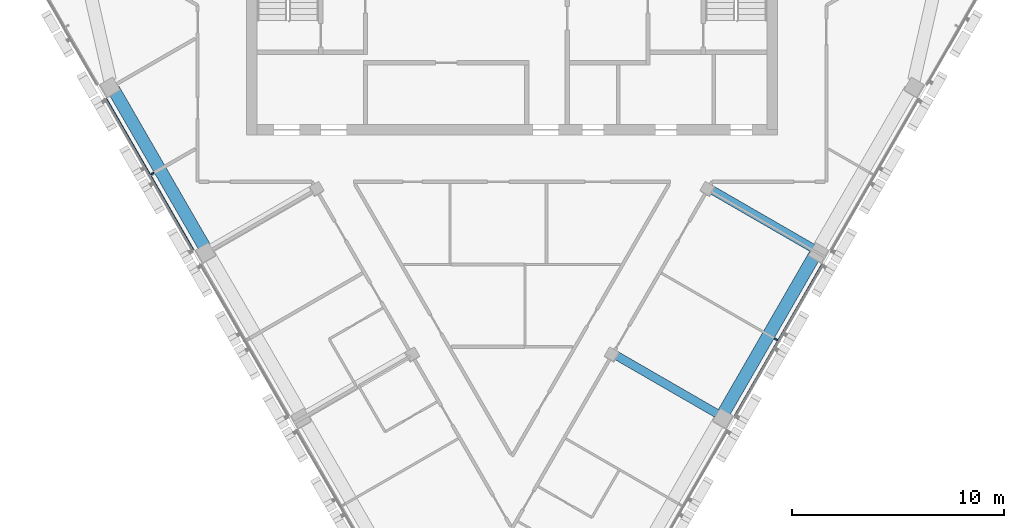
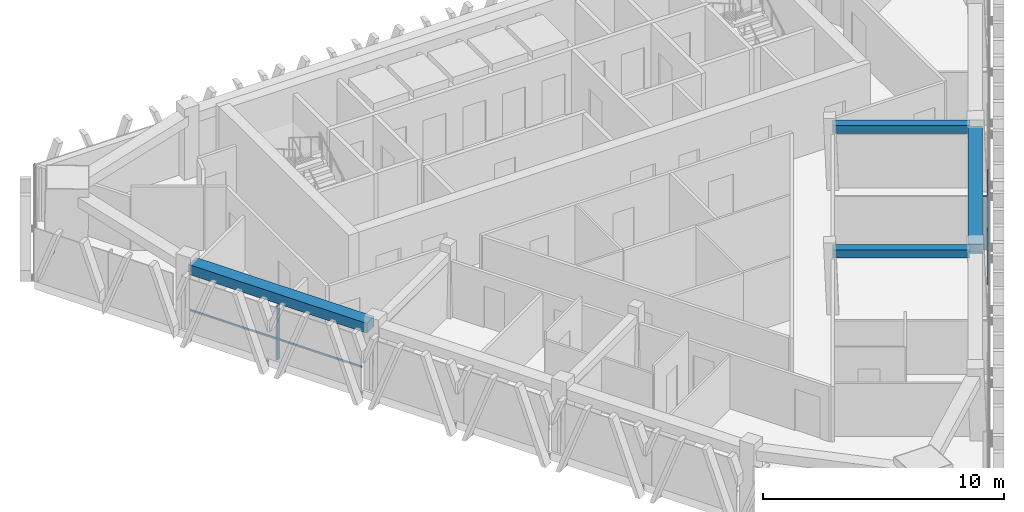
# One storey, part 3 of 12: 4 beams, 4 members, 2 elements without a shape of their own.
"""IFC4 building model written with IfcOpenShell, lengths in metres."""

from ifc_helpers import new_model, si_unit, direction, frame, origin, origin_2d, place, context, subcontext, project, spatial, rectangle, extrude, material, layer, layer_set, material_profile, profile_set, type_object, element, aggregate, save


model = new_model("IFC4")

# Units and contexts
model_context = context("Model", 3, precision=1e-05, world=origin(), true_north=direction((0.0, 1.0)))
body_context = subcontext(model_context, "Body", "Model", "MODEL_VIEW")
ifc_project = project(units=[si_unit("LENGTHUNIT", "METRE"), si_unit("AREAUNIT", "SQUARE_METRE"), si_unit("VOLUMEUNIT", "CUBIC_METRE"), si_unit("PLANEANGLEUNIT", "RADIAN"), si_unit("MASSUNIT", "GRAM", prefix="KILO")], contexts=[model_context])

# Site, building, storey
site_placement = place(None, origin())
site = spatial("IfcSite", under=ifc_project, at=site_placement, CompositionType="ELEMENT")
building_placement = place(site_placement, origin())
building = spatial("IfcBuilding", under=site, at=building_placement, Name="Altiplano Prism Tower", CompositionType="ELEMENT")
storey_placement = place(building_placement, frame((0.0, 0.0, 278.800048828125)))
storey = spatial("IfcBuildingStorey", under=building, at=storey_placement, Name="L72", CompositionType="ELEMENT", Elevation=278.800048828125)

# Curtain wall, member
ifc_material_1 = material(Name="Aluminium and glass", Category="aluminium")
ifc_layer = layer(ifc_material_1, 0.280029296875)
ifc_layer_set = layer_set([ifc_layer], Name="Aluminium and glass")
curtain_wall_type = type_object("IfcCurtainWallType", Name="CW1 typical co-living unitised curtain wall", PredefinedType="NOTDEFINED", material=ifc_layer_set)
curtain_wall_1_placement = place(storey_placement, origin())
curtain_wall_1 = element("IfcCurtainWall", 1, at=curtain_wall_1_placement, inside=storey, type_object=curtain_wall_type, Name="CW1 curtain wall south-west face L72", PredefinedType="NOTDEFINED")
ifc_material_2 = material(Name="Aluminium", Category="aluminium")
ifc_material_profile_1 = material_profile(ifc_material_2, rectangle(XDim=0.179931640625, YDim=0.06494140625, at=origin_2d()), Name="CW1 mullion 65 x 180")
ifc_profile_set_1 = profile_set([ifc_material_profile_1], Name="Aluminium")
member_type_1 = type_object("IfcMemberType", Name="CW1 mullion 65 x 180", PredefinedType="MULLION", material=ifc_profile_set_1)
member_1_placement = place(storey_placement, frame((68.07275390625, 91.079833984375, 0.0), z_axis=(0.0, 0.0, 1.0), x_axis=(0.866025409151, 0.499999990704, 0.0)))
member_1 = element("IfcMember", 2, at=member_1_placement, type_object=member_type_1, Name="CW1 mullion", PredefinedType="MULLION", context=body_context, shape_type="SweptSolid", body=[
    extrude(rectangle(XDim=0.179931640625, YDim=0.06494140625, at=origin_2d()), origin(), (0.0, 0.0, 1.0), 2.699951171875),
])

curtain_wall_2_placement = place(storey_placement, origin())
curtain_wall_2 = element("IfcCurtainWall", 3, at=curtain_wall_2_placement, inside=storey, type_object=curtain_wall_type, Name="CW1 curtain wall south-east face L72", PredefinedType="NOTDEFINED")
member_2_placement = place(storey_placement, frame((97.42724609375, 83.28564453125, 0.0), z_axis=(0.0, 0.0, 1.0), x_axis=(-0.866025409151, 0.499999990704, 0.0)))
member_2 = element("IfcMember", 4, at=member_2_placement, type_object=member_type_1, Name="CW1 mullion", PredefinedType="MULLION", context=body_context, shape_type="SweptSolid", body=[
    extrude(rectangle(XDim=0.179931640625, YDim=0.06494140625, at=origin_2d()), origin(), (0.0, 0.0, 1.0), 2.699951171875),
])

# Member
ifc_material_profile_2 = material_profile(ifc_material_2, rectangle(XDim=0.06005859375, YDim=0.080078125, at=origin_2d()), Name="CW1 transom 80 x 60")
ifc_profile_set_2 = profile_set([ifc_material_profile_2], Name="Aluminium")
member_type_2 = type_object("IfcMemberType", Name="CW1 transom 80 x 60", PredefinedType="USERDEFINED", material=ifc_profile_set_2)
member_3_placement = place(storey_placement, frame((65.894287109375, 94.61328125, 1.099853515625), z_axis=(0.499991554064, -0.866030279993, 0.0), x_axis=(0.866030279993, 0.499991554064, 0.0)))
member_3 = element("IfcMember", 5, at=member_3_placement, type_object=member_type_2, Name="CW1 transom", ObjectType="TRANSOM", PredefinedType="USERDEFINED", context=body_context, shape_type="SweptSolid", body=[
    extrude(rectangle(XDim=0.06005859375, YDim=0.080078125, at=origin_2d()), origin(), (0.0, 0.0, 1.0), 8.219970703125),
])

aggregate(curtain_wall_1, [member_1, member_3])

member_4_placement = place(storey_placement, frame((95.495849609375, 79.700439453125, 1.099853515625), z_axis=(0.499991554064, 0.866030279993, 0.0), x_axis=(-0.866030279993, 0.499991554064, 0.0)))
member_4 = element("IfcMember", 6, at=member_4_placement, type_object=member_type_2, Name="CW1 transom", ObjectType="TRANSOM", PredefinedType="USERDEFINED", context=body_context, shape_type="SweptSolid", body=[
    extrude(rectangle(XDim=0.06005859375, YDim=0.080078125, at=origin_2d()), origin(), (0.0, 0.0, 1.0), 8.219970703125),
])

aggregate(curtain_wall_2, [member_2, member_4])

# Beams
ifc_material_3 = material(Name="Concrete C60/75", Category="concrete")
ifc_material_profile_3 = material_profile(ifc_material_3, rectangle(XDim=0.60009765625, YDim=0.5, at=origin_2d()), Name="Edge beam 600x500")
ifc_profile_set_3 = profile_set([ifc_material_profile_3], Name="Concrete C60/75")
beam_type_1 = type_object("IfcBeamType", Name="Edge beam 600x500", PredefinedType="SPANDREL", material=ifc_profile_set_3)
for number, where, z_axis, x_axis, name in (
    (7, (66.242919921875, 95.046142578125, 2.949951171875), (0.500007039007, -0.866021339774, 0.0), (0.866021339774, 0.500007039007, 0.0), "Edge beam P11-P12 L73"),
    (8, (94.987060546875, 79.856201171875, 2.949951171875), (0.500007039007, 0.866021339774, 0.0), (-0.866021339774, 0.500007039007, 0.0), "Edge beam P22-P23 L73"),
):
    element("IfcBeam", number, at=place(storey_placement, frame(where, z_axis=z_axis, x_axis=x_axis)), inside=storey, type_object=beam_type_1, Name=name, PredefinedType="SPANDREL", context=body_context, shape_type="SweptSolid", body=[
        extrude(rectangle(XDim=0.60009765625, YDim=0.5, at=origin_2d()), origin(), (0.0, 0.0, 1.0), 8.5400390625),
    ])
ifc_material_profile_4 = material_profile(ifc_material_3, rectangle(XDim=0.39990234375, YDim=0.39990234375, at=origin_2d()), Name="Tie beam 400x400")
ifc_profile_set_4 = profile_set([ifc_material_profile_4], Name="Concrete C60/75")
beam_type_2 = type_object("IfcBeamType", Name="Tie beam 400x400", PredefinedType="BEAM", material=ifc_profile_set_4)
for number, where, z_axis, x_axis, name in (
    (9, (89.7451171875, 82.616943359375, 3.0), (0.866029822496, -0.499992346489, 0.0), (0.499992346489, 0.866029822496, 0.0), "Tie beam I22 L73"),
    (10, (94.2451171875, 90.4111328125, 3.0), (0.866029822496, -0.499992346489, 0.0), (0.499992346489, 0.866029822496, 0.0), "Tie beam I23 L73"),
):
    element("IfcBeam", number, at=place(storey_placement, frame(where, z_axis=z_axis, x_axis=x_axis)), inside=storey, type_object=beam_type_2, Name=name, PredefinedType="BEAM", context=body_context, shape_type="SweptSolid", body=[
        extrude(rectangle(XDim=0.39990234375, YDim=0.39990234375, at=origin_2d()), origin(), (0.0, 0.0, 1.0), 5.68994140625),
    ])

save(model, "model.ifc")
